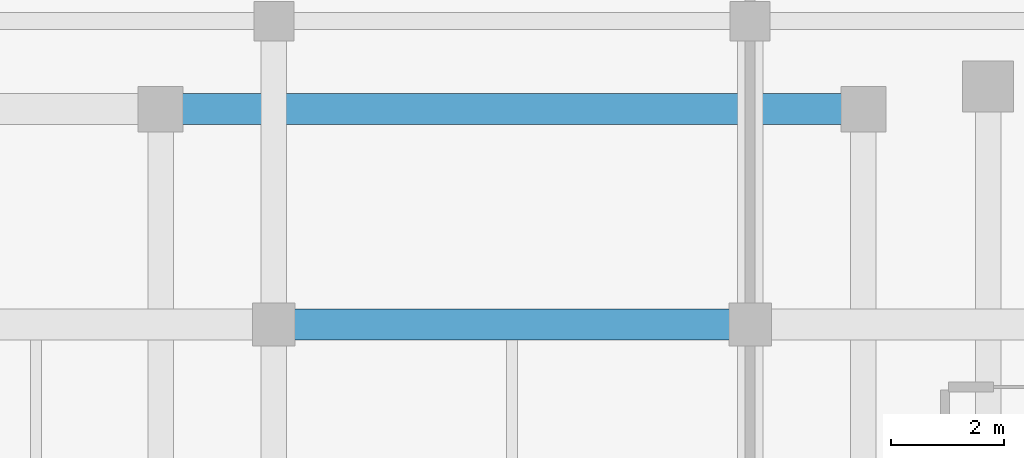
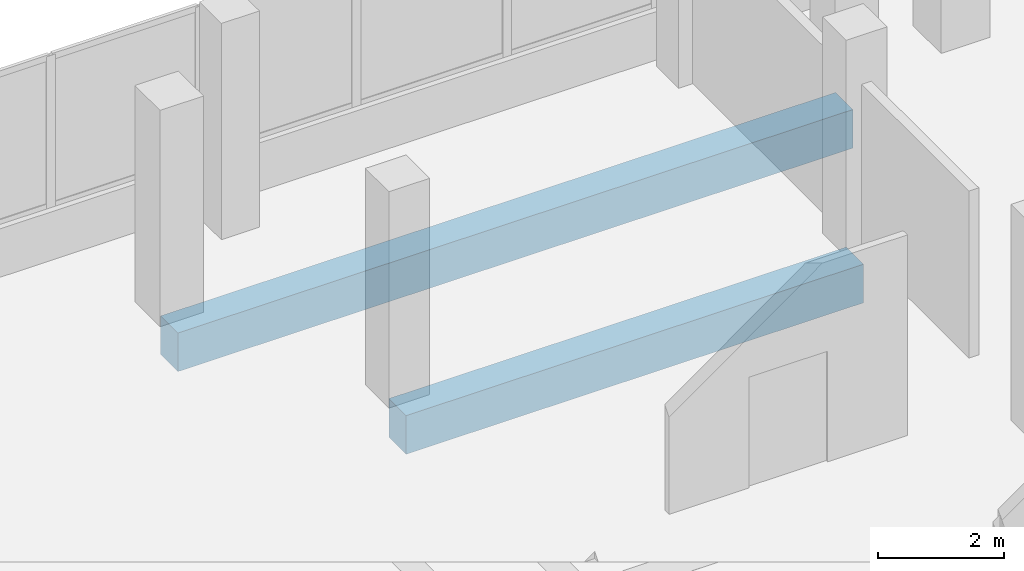
# One storey, part 101 of 184: 2 beams.
"""IFC4 building model written with IfcOpenShell, lengths in metres."""

from ifc_helpers import new_model, si_unit, direction, frame, origin, origin_2d, place, context, subcontext, project, spatial, rectangle, extrude, material, material_profile, profile_set, type_object, element, save


model = new_model("IFC4")

# Units and contexts
model_context = context("Model", 3, precision=1e-05, world=origin(), true_north=direction((0.0, 1.0)))
body_context = subcontext(model_context, "Body", "Model", "MODEL_VIEW")
ifc_project = project(units=[si_unit("LENGTHUNIT", "METRE"), si_unit("AREAUNIT", "SQUARE_METRE"), si_unit("VOLUMEUNIT", "CUBIC_METRE"), si_unit("PLANEANGLEUNIT", "RADIAN"), si_unit("MASSUNIT", "GRAM", prefix="KILO")], contexts=[model_context])

# Site, building, storey
site_placement = place(None, origin())
site = spatial("IfcSite", under=ifc_project, at=site_placement, CompositionType="ELEMENT")
building_placement = place(site_placement, origin())
building = spatial("IfcBuilding", under=site, at=building_placement, Name="Selatvlak General Hospital", CompositionType="ELEMENT")
storey_placement = place(building_placement, frame((0.0, 0.0, 15.0)))
storey = spatial("IfcBuildingStorey", under=building, at=storey_placement, Name="L03", CompositionType="ELEMENT", Elevation=15.0)

# Beams
ifc_material = material(Name="Concrete C40/50", Category="concrete")
ifc_material_profile = material_profile(ifc_material, rectangle(XDim=0.550048828125, YDim=0.75, at=origin_2d()), Name="RC-BM 550x750")
ifc_profile_set = profile_set([ifc_material_profile], Name="Concrete C40/50")
beam_type = type_object("IfcBeamType", Name="BM-G02", PredefinedType="BEAM", material=ifc_profile_set)
beam_1_placement = place(storey_placement, frame((73.199951171875, 114.0, -0.715087890625), z_axis=(1.0, 0.0, 0.0), x_axis=(0.0, 1.0, 0.0)))
element("IfcBeam", 1, at=beam_1_placement, inside=storey, type_object=beam_type, Name="Beam BMR-L03-1267", PredefinedType="BEAM", context=body_context, shape_type="SweptSolid", body=[
    extrude(rectangle(XDim=0.550048828125, YDim=0.75, at=origin_2d()), origin(), (0.0, 0.0, 1.0), 8.400146484375),
])
beam_2_placement = place(storey_placement, frame((71.199951171875, 117.800048828125, -0.715087890625), z_axis=(1.0, 0.0, 0.0), x_axis=(0.0, 1.0, 0.0)))
element("IfcBeam", 2, at=beam_2_placement, inside=storey, type_object=beam_type, Name="Beam BMR-L03-1276", PredefinedType="BEAM", context=body_context, shape_type="SweptSolid", body=[
    extrude(rectangle(XDim=0.550048828125, YDim=0.75, at=origin_2d()), origin(), (0.0, 0.0, 1.0), 12.400146484375),
])

save(model, "model.ifc")
